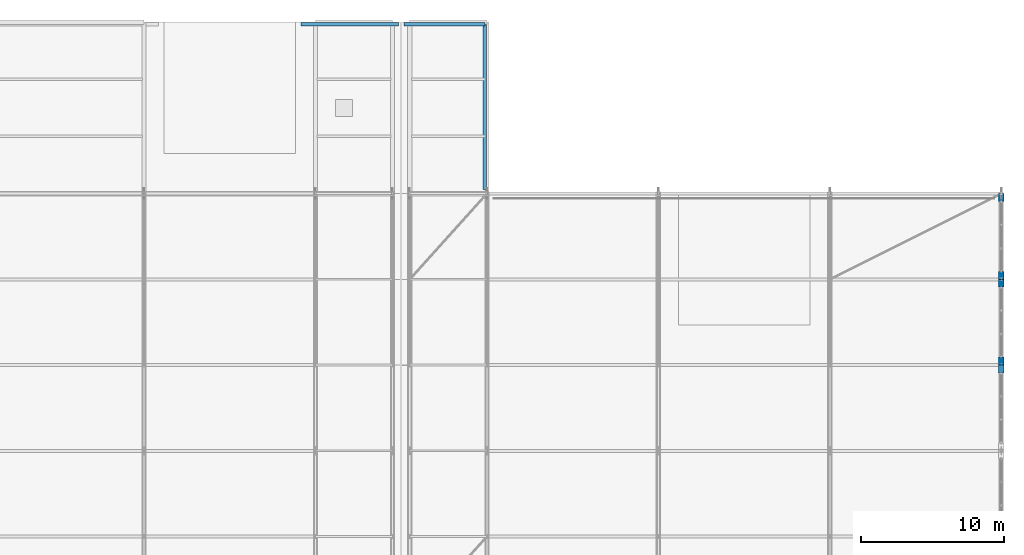
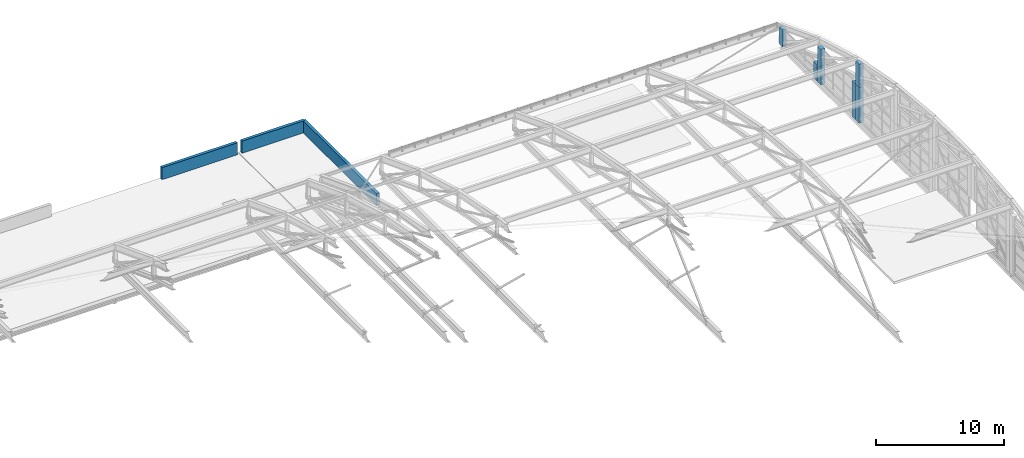
# One storey, part 196 of 204: 9 walls.
"""IFC4 building model written with IfcOpenShell, lengths in metres."""

from ifc_helpers import new_model, si_unit, direction, frame, frame_2d, origin, place, context, subcontext, project, spatial, rectangle, extrude, material, layer, layer_set, type_object, element, save


model = new_model("IFC4")

# Units and contexts
model_context = context("Model", 3, precision=1e-05, world=origin(), true_north=direction((0.0, 1.0)))
body_context = subcontext(model_context, "Body", "Model", "MODEL_VIEW")
ifc_project = project(units=[si_unit("LENGTHUNIT", "METRE"), si_unit("AREAUNIT", "SQUARE_METRE"), si_unit("VOLUMEUNIT", "CUBIC_METRE"), si_unit("PLANEANGLEUNIT", "RADIAN"), si_unit("MASSUNIT", "GRAM", prefix="KILO")], contexts=[model_context])

# Site, building, storey
site_placement = place(None, origin())
site = spatial("IfcSite", under=ifc_project, at=site_placement, CompositionType="ELEMENT")
building_placement = place(site_placement, origin())
building = spatial("IfcBuilding", under=site, at=building_placement, Name="Zilviju Railside Exhibition Hall", CompositionType="ELEMENT")
storey_placement = place(building_placement, frame((0.0, 0.0, 21.0)))
storey = spatial("IfcBuildingStorey", under=building, at=storey_placement, Name="RF", CompositionType="ELEMENT", Elevation=21.0)

# Walls
ifc_material_1 = material(Name="Insulated cream-brick upper facade wall", Category="masonry")
ifc_layer_1 = layer(ifc_material_1, 0.3798828125)
ifc_layer_set_1 = layer_set([ifc_layer_1], Name="Insulated cream-brick upper facade wall")
wall_type_1 = type_object("IfcWallType", Name="WL-EXT-380", PredefinedType="SOLIDWALL", material=ifc_layer_set_1)
wall_1_placement = place(storey_placement, frame((216.0, 126.0, -3.60009765625), z_axis=(0.0, 0.0, 1.0), x_axis=(0.0, -1.0, 0.0)))
element("IfcWall", 1, at=wall_1_placement, inside=storey, type_object=wall_type_1, Name="Curtain-Wall Jamb Closure Pier RF 0366", PredefinedType="SOLIDWALL", context=body_context, shape_type="SweptSolid", body=[
    extrude(rectangle(XDim=0.550048828125, YDim=0.3798828125, at=frame_2d((0.27490234375, 0.0))), origin(), (0.0, 0.0, 1.0), 3.400146484375),
])
wall_2_placement = place(storey_placement, frame((216.0, 126.550048828125, -3.60009765625), z_axis=(0.0, 0.0, 1.0), x_axis=(0.0, -1.0, 0.0)))
element("IfcWall", 2, at=wall_2_placement, inside=storey, type_object=wall_type_1, Name="Curtain-Wall Jamb Closure Pier RF 0367", PredefinedType="SOLIDWALL", context=body_context, shape_type="SweptSolid", body=[
    extrude(rectangle(XDim=0.548095703125, YDim=0.3798828125, at=frame_2d((0.27392578125, 0.0))), origin(), (0.0, 0.0, 1.0), 3.400146484375),
])
wall_3_placement = place(storey_placement, frame((216.0, 132.0, -3.60009765625), z_axis=(0.0, 0.0, 1.0), x_axis=(0.0, -1.0, 0.0)))
element("IfcWall", 3, at=wall_3_placement, inside=storey, type_object=wall_type_1, Name="Curtain-Wall Jamb Closure Pier RF 0368", PredefinedType="SOLIDWALL", context=body_context, shape_type="SweptSolid", body=[
    extrude(rectangle(XDim=0.550048828125, YDim=0.3798828125, at=frame_2d((0.27490234375, 0.0))), origin(), (0.0, 0.0, 1.0), 3.400146484375),
])
wall_4_placement = place(storey_placement, frame((216.0, 132.550048828125, -3.60009765625), z_axis=(0.0, 0.0, 1.0), x_axis=(0.0, -1.0, 0.0)))
element("IfcWall", 4, at=wall_4_placement, inside=storey, type_object=wall_type_1, Name="Curtain-Wall Jamb Closure Pier RF 0369", PredefinedType="SOLIDWALL", context=body_context, shape_type="SweptSolid", body=[
    extrude(rectangle(XDim=0.548095703125, YDim=0.3798828125, at=frame_2d((0.27392578125, 0.0))), origin(), (0.0, 0.0, 1.0), 1.60009765625),
])
wall_5_placement = place(storey_placement, frame((216.0, 138.0, -3.60009765625), z_axis=(0.0, 0.0, 1.0), x_axis=(0.0, -1.0, 0.0)))
element("IfcWall", 5, at=wall_5_placement, inside=storey, type_object=wall_type_1, Name="Curtain-Wall Jamb Closure Pier RF 0370", PredefinedType="SOLIDWALL", context=body_context, shape_type="SweptSolid", body=[
    extrude(rectangle(XDim=0.550048828125, YDim=0.3798828125, at=frame_2d((0.27490234375, 0.0))), origin(), (0.0, 0.0, 1.0), 1.60009765625),
])
wall_6_placement = place(storey_placement, frame((216.0, 126.0, -0.199951171875), z_axis=(0.0, 0.0, 1.0), x_axis=(0.0, -1.0, 0.0)))
element("IfcWall", 6, at=wall_6_placement, inside=storey, type_object=wall_type_1, Name="Curtain-Wall Jamb Closure Pier RF 0380", PredefinedType="SOLIDWALL", context=body_context, shape_type="SweptSolid", body=[
    extrude(rectangle(XDim=0.550048828125, YDim=0.3798828125, at=frame_2d((0.27490234375, 0.0))), origin(), (0.0, 0.0, 1.0), 2.209716796875),
])
ifc_material_2 = material(Name="Capped granite-brick roof parapet wall", Category="masonry")
ifc_layer_2 = layer(ifc_material_2, 0.260009765625)
ifc_layer_set_2 = layer_set([ifc_layer_2], Name="Capped granite-brick roof parapet wall")
wall_type_2 = type_object("IfcWallType", Name="WL-PAR-260", PredefinedType="PARAPET", material=ifc_layer_set_2)
wall_7_placement = place(storey_placement, frame((167.0, 149.85009765625, -6.60009765625), z_axis=(0.0, 0.0, 1.0), x_axis=(1.0, 0.0, 0.0)))
element("IfcWall", 7, at=wall_7_placement, inside=storey, type_object=wall_type_2, Name="Logistics Wing Acoustic Green Roof North Parapet 4", PredefinedType="PARAPET", context=body_context, shape_type="SweptSolid", body=[
    extrude(rectangle(XDim=6.800048828125, YDim=0.260009765625, at=frame_2d((3.39990234375, 0.0))), origin(), (0.0, 0.0, 1.0), 1.150146484375),
])
wall_8_placement = place(storey_placement, frame((174.199951171875, 149.85009765625, -6.60009765625), z_axis=(0.0, 0.0, 1.0), x_axis=(1.0, 0.0, 0.0)))
element("IfcWall", 8, at=wall_8_placement, inside=storey, type_object=wall_type_2, Name="Logistics Wing Acoustic Green Roof North Parapet 5", PredefinedType="PARAPET", context=body_context, shape_type="SweptSolid", body=[
    extrude(rectangle(XDim=5.650146484375, YDim=0.260009765625, at=frame_2d((2.8251953125, 0.0))), origin(), (0.0, 0.0, 1.0), 1.150146484375),
])
wall_9_placement = place(storey_placement, frame((179.85009765625, 138.300048828125, -6.60009765625), z_axis=(0.0, 0.0, 1.0), x_axis=(0.0, 1.0, 0.0)))
element("IfcWall", 9, at=wall_9_placement, inside=storey, type_object=wall_type_2, Name="Logistics Wing Acoustic Green Roof E Parapet", PredefinedType="PARAPET", context=body_context, shape_type="SweptSolid", body=[
    extrude(rectangle(XDim=11.550048828125, YDim=0.260009765625, at=frame_2d((5.77490234375, 0.0))), origin(), (0.0, 0.0, 1.0), 1.150146484375),
])

save(model, "model.ifc")
